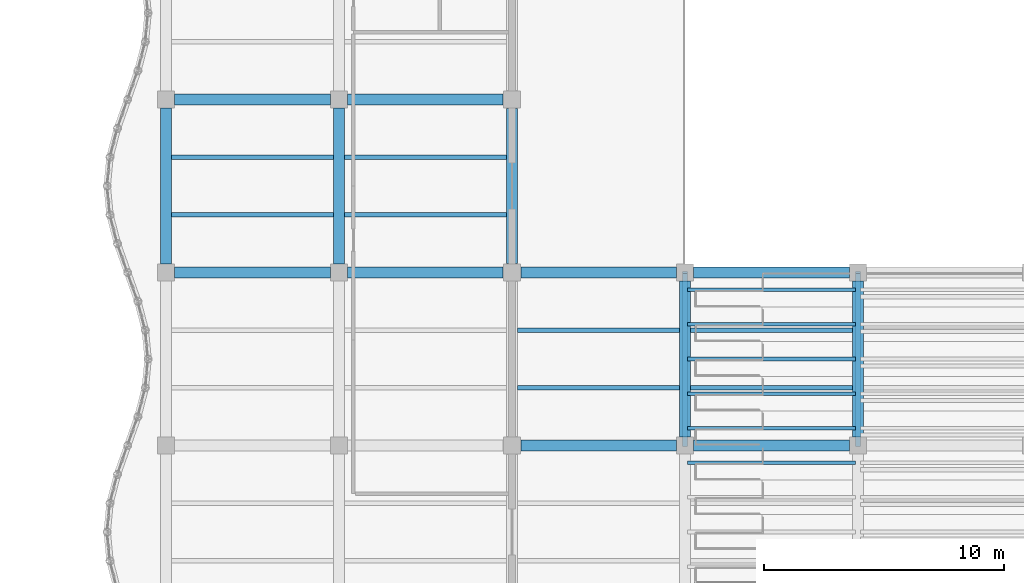
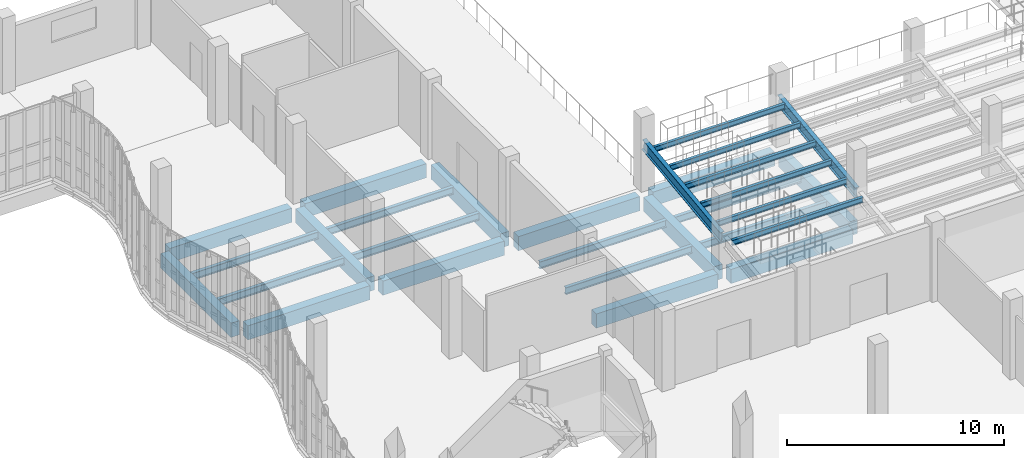
# One storey, part 42 of 108: 29 beams.
"""IFC4 building model written with IfcOpenShell, lengths in metres."""

from ifc_helpers import new_model, si_unit, direction, frame, origin, origin_2d, place, context, subcontext, project, spatial, rectangle, i_section, extrude, material, material_profile, profile_set, type_object, element, save


model = new_model("IFC4")

# Units and contexts
model_context = context("Model", 3, precision=1e-05, world=origin(), true_north=direction((0.0, 1.0)))
body_context = subcontext(model_context, "Body", "Model", "MODEL_VIEW")
ifc_project = project(units=[si_unit("LENGTHUNIT", "METRE"), si_unit("AREAUNIT", "SQUARE_METRE"), si_unit("VOLUMEUNIT", "CUBIC_METRE"), si_unit("PLANEANGLEUNIT", "RADIAN"), si_unit("MASSUNIT", "GRAM", prefix="KILO"), si_unit("THERMODYNAMICTEMPERATUREUNIT", "KELVIN"), si_unit("POWERUNIT", "WATT")], contexts=[model_context])

# Site, building, storey
site_placement = place(None, origin())
site = spatial("IfcSite", under=ifc_project, at=site_placement, CompositionType="ELEMENT")
building_placement = place(site_placement, origin())
building = spatial("IfcBuilding", under=site, at=building_placement, Name="Kaldorven Railside Theatre", CompositionType="ELEMENT")
storey_placement = place(building_placement, frame((0.0, 0.0, 5.39990234375)))
storey = spatial("IfcBuildingStorey", under=building, at=storey_placement, Name="L01", CompositionType="ELEMENT", Elevation=5.39990234375)

# Beams
ifc_material_1 = material(Name="Steel S355", Category="steel")
ifc_material_profile_1 = material_profile(ifc_material_1, i_section(OverallWidth=0.14990234375, OverallDepth=0.300048828125, WebThickness=0.007080078125, FlangeThickness=0.0107421875, at=origin_2d()), Name="IPE 300")
ifc_profile_set_1 = profile_set([ifc_material_profile_1], Name="Steel S355")
beam_type_1 = type_object("IfcBeamType", Name="BM-IPE300", PredefinedType="JOIST", material=ifc_profile_set_1)
for number, where, z_axis, x_axis, name in (
    (1, (94.510009765625, 47.280029296875, 1.6201171875), (1.0, 0.0, 0.0), (0.0, 1.0, 0.0), "Seating Tier Transverse Bearer TBR-V1D-051"),
    (2, (94.510009765625, 48.719970703125, 1.800048828125), (1.0, 0.0, 0.0), (0.0, 1.0, 0.0), "Seating Tier Transverse Bearer TBR-V1D-061"),
    (3, (94.510009765625, 50.159912109375, 1.97998046875), (1.0, 0.0, 0.0), (0.0, 1.0, 0.0), "Seating Tier Transverse Bearer TBR-V1D-071"),
    (4, (94.510009765625, 51.60009765625, 2.16015625), (1.0, 0.0, 0.0), (0.0, 1.0, 0.0), "Seating Tier Transverse Bearer TBR-V1D-081"),
    (5, (94.510009765625, 53.0400390625, 2.340087890625), (1.0, 0.0, 0.0), (0.0, 1.0, 0.0), "Seating Tier Transverse Bearer TBR-V1D-091"),
    (6, (94.510009765625, 54.47998046875, 2.52001953125), (1.0, 0.0, 0.0), (0.0, 1.0, 0.0), "Seating Tier Transverse Bearer TBR-V1D-101"),
):
    element("IfcBeam", number, at=place(storey_placement, frame(where, z_axis=z_axis, x_axis=x_axis)), inside=storey, type_object=beam_type_1, Name=name, PredefinedType="JOIST", context=body_context, shape_type="SweptSolid", body=[
        extrude(i_section(OverallWidth=0.14990234375, OverallDepth=0.300048828125, WebThickness=0.007080078125, FlangeThickness=0.0107421875, at=origin_2d()), origin(), (0.0, 0.0, 1.0), 6.97998046875),
    ])
ifc_material_profile_2 = material_profile(ifc_material_1, i_section(OverallWidth=0.179931640625, OverallDepth=0.39990234375, WebThickness=0.008544921875, FlangeThickness=0.013427734375, at=origin_2d()), Name="IPE 400")
ifc_profile_set_2 = profile_set([ifc_material_profile_2], Name="Steel S355")
beam_type_2 = type_object("IfcBeamType", Name="BM-IPE400", PredefinedType="JOIST", material=ifc_profile_set_2)
for number, where, z_axis, x_axis, name in (
    (7, (87.425048828125, 50.39990234375, -0.5), (1.0, 0.0, 0.0), (0.0, 1.0, 0.0), "L01 Secondary Floor Joist JG-L01-087-0504"),
    (8, (87.425048828125, 52.800048828125, -0.5), (1.0, 0.0, 0.0), (0.0, 1.0, 0.0), "L01 Secondary Floor Joist JG-L01-087-0528"),
    (9, (94.625, 50.39990234375, -0.5), (1.0, 0.0, 0.0), (0.0, 1.0, 0.0), "L01 Secondary Floor Joist JG-L01-094-0504"),
    (10, (94.625, 52.800048828125, -0.5), (1.0, 0.0, 0.0), (0.0, 1.0, 0.0), "L01 Secondary Floor Joist JG-L01-094-0528"),
    (11, (73.02490234375, 57.60009765625, -0.47998046875), (1.0, 0.0, 0.0), (0.0, 1.0, 0.0), "L01 Secondary Floor Joist JG-L01-072-0576"),
    (12, (73.02490234375, 60.0, -0.47998046875), (1.0, 0.0, 0.0), (0.0, 1.0, 0.0), "L01 Secondary Floor Joist JG-L01-072-0600"),
    (13, (80.22509765625, 57.60009765625, -0.47998046875), (1.0, 0.0, 0.0), (0.0, 1.0, 0.0), "L01 Secondary Floor Joist JG-L01-080-0576"),
    (14, (80.22509765625, 60.0, -0.47998046875), (1.0, 0.0, 0.0), (0.0, 1.0, 0.0), "L01 Secondary Floor Joist JG-L01-080-0600"),
):
    element("IfcBeam", number, at=place(storey_placement, frame(where, z_axis=z_axis, x_axis=x_axis)), inside=storey, type_object=beam_type_2, Name=name, PredefinedType="JOIST", context=body_context, shape_type="SweptSolid", body=[
        extrude(i_section(OverallWidth=0.179931640625, OverallDepth=0.39990234375, WebThickness=0.008544921875, FlangeThickness=0.013427734375, at=origin_2d()), origin(), (0.0, 0.0, 1.0), 6.75),
    ])
ifc_material_profile_3 = material_profile(ifc_material_1, i_section(OverallWidth=0.219970703125, OverallDepth=0.60009765625, WebThickness=0.011962890625, FlangeThickness=0.01904296875, at=origin_2d()), Name="IPE 600")
ifc_profile_set_3 = profile_set([ifc_material_profile_3], Name="Steel S355")
beam_type_3 = type_object("IfcBeamType", Name="BM-IPE600", PredefinedType="USERDEFINED", material=ifc_profile_set_3)
for number, where, z_axis, x_axis, name in (
    (15, (94.39990234375, 48.0, 1.52001953125), (0.0, 0.992275288289, 0.124055440233), (-1.0, 0.0, 0.0), "Auditorium Raker Girder RKG-V1D-12"),
    (16, (101.60009765625, 48.0, 1.52001953125), (0.0, 0.992275288289, 0.124055440233), (-1.0, 0.0, 0.0), "Auditorium Raker Girder RKG-V1D-22"),
):
    element("IfcBeam", number, at=place(storey_placement, frame(where, z_axis=z_axis, x_axis=x_axis)), inside=storey, type_object=beam_type_3, Name=name, ObjectType="RAKER BEAM", PredefinedType="USERDEFINED", context=body_context, shape_type="SweptSolid", body=[
        extrude(i_section(OverallWidth=0.219970703125, OverallDepth=0.60009765625, WebThickness=0.011962890625, FlangeThickness=0.01904296875, at=origin_2d()), origin(), (0.0, 0.0, 1.0), 7.256103515625),
    ])
ifc_material_2 = material(Name="Concrete C40/50", Category="concrete")
ifc_material_profile_4 = material_profile(ifc_material_2, rectangle(XDim=0.449951171875, YDim=0.800048828125, at=origin_2d()), Name="RC 450x800")
ifc_profile_set_4 = profile_set([ifc_material_profile_4], Name="Concrete C40/50")
beam_type_4 = type_object("IfcBeamType", Name="BM-RC450x800", PredefinedType="BEAM", material=ifc_profile_set_4)
beam_1_placement = place(storey_placement, frame((87.574951171875, 48.0, -0.699951171875), z_axis=(1.0, 0.0, 0.0), x_axis=(0.0, 1.0, 0.0)))
element("IfcBeam", 17, at=beam_1_placement, inside=storey, type_object=beam_type_4, Name="L01 Girder BGX-L01-087-048", PredefinedType="BEAM", context=body_context, shape_type="SweptSolid", body=[
    extrude(rectangle(XDim=0.449951171875, YDim=0.800048828125, at=origin_2d()), origin(), (0.0, 0.0, 1.0), 6.47509765625),
])
for number, where, z_axis, x_axis, name in (
    (18, (94.75, 48.0, -0.699951171875), (1.0, 0.0, 0.0), (0.0, 1.0, 0.0), "L01 Girder BGX-L01-094-048"),
    (19, (94.39990234375, 48.35009765625, -0.699951171875), (0.0, 1.0, 0.0), (-1.0, 0.0, 0.0), "L01 Girder BGY-L01-094-048-72"),
    (20, (101.60009765625, 48.35009765625, -0.699951171875), (0.0, 1.0, 0.0), (-1.0, 0.0, 0.0), "L01 Girder BGY-L01-101-048-72"),
    (21, (73.14990234375, 55.199951171875, -0.679931640625), (1.0, 0.0, 0.0), (0.0, 1.0, 0.0), "L01 Girder BGX-L01-072-055"),
    (22, (72.800048828125, 55.550048828125, -0.679931640625), (0.0, 1.0, 0.0), (-1.0, 0.0, 0.0), "L01 Girder BGY-L01-072-055-72"),
):
    element("IfcBeam", number, at=place(storey_placement, frame(where, z_axis=z_axis, x_axis=x_axis)), inside=storey, type_object=beam_type_4, Name=name, PredefinedType="BEAM", context=body_context, shape_type="SweptSolid", body=[
        extrude(rectangle(XDim=0.449951171875, YDim=0.800048828125, at=origin_2d()), origin(), (0.0, 0.0, 1.0), 6.5),
    ])
beam_2_placement = place(storey_placement, frame((80.35009765625, 55.199951171875, -0.679931640625), z_axis=(1.0, 0.0, 0.0), x_axis=(0.0, 1.0, 0.0)))
element("IfcBeam", 23, at=beam_2_placement, inside=storey, type_object=beam_type_4, Name="L01 Girder BGX-L01-080-055", PredefinedType="BEAM", context=body_context, shape_type="SweptSolid", body=[
    extrude(rectangle(XDim=0.449951171875, YDim=0.800048828125, at=origin_2d()), origin(), (0.0, 0.0, 1.0), 6.474853515625),
])
beam_3_placement = place(storey_placement, frame((80.0, 55.550048828125, -0.679931640625), z_axis=(0.0, 1.0, 0.0), x_axis=(-1.0, 0.0, 0.0)))
element("IfcBeam", 24, at=beam_3_placement, inside=storey, type_object=beam_type_4, Name="L01 Girder BGY-L01-080-055-72", PredefinedType="BEAM", context=body_context, shape_type="SweptSolid", body=[
    extrude(rectangle(XDim=0.449951171875, YDim=0.800048828125, at=origin_2d()), origin(), (0.0, 0.0, 1.0), 6.5),
])
beam_4_placement = place(storey_placement, frame((87.574951171875, 55.199951171875, -0.699951171875), z_axis=(1.0, 0.0, 0.0), x_axis=(0.0, 1.0, 0.0)))
element("IfcBeam", 25, at=beam_4_placement, inside=storey, type_object=beam_type_4, Name="L01 Girder BGX-L01-087-055", PredefinedType="BEAM", context=body_context, shape_type="SweptSolid", body=[
    extrude(rectangle(XDim=0.449951171875, YDim=0.800048828125, at=origin_2d()), origin(), (0.0, 0.0, 1.0), 6.47509765625),
])
beam_5_placement = place(storey_placement, frame((87.199951171875, 55.574951171875, -0.699951171875), z_axis=(0.0, 1.0, 0.0), x_axis=(-1.0, 0.0, 0.0)))
element("IfcBeam", 26, at=beam_5_placement, inside=storey, type_object=beam_type_4, Name="L01 Girder BGY-L01-087-055-72", PredefinedType="BEAM", context=body_context, shape_type="SweptSolid", body=[
    extrude(rectangle(XDim=0.449951171875, YDim=0.800048828125, at=origin_2d()), origin(), (0.0, 0.0, 1.0), 6.449951171875),
])
for number, where, z_axis, x_axis, name in (
    (27, (94.75, 55.199951171875, -0.699951171875), (1.0, 0.0, 0.0), (0.0, 1.0, 0.0), "L01 Girder BGX-L01-094-055"),
    (28, (73.14990234375, 62.39990234375, -0.679931640625), (1.0, 0.0, 0.0), (0.0, 1.0, 0.0), "L01 Girder BGX-L01-072-062"),
):
    element("IfcBeam", number, at=place(storey_placement, frame(where, z_axis=z_axis, x_axis=x_axis)), inside=storey, type_object=beam_type_4, Name=name, PredefinedType="BEAM", context=body_context, shape_type="SweptSolid", body=[
        extrude(rectangle(XDim=0.449951171875, YDim=0.800048828125, at=origin_2d()), origin(), (0.0, 0.0, 1.0), 6.5),
    ])
beam_6_placement = place(storey_placement, frame((80.35009765625, 62.39990234375, -0.679931640625), z_axis=(1.0, 0.0, 0.0), x_axis=(0.0, 1.0, 0.0)))
element("IfcBeam", 29, at=beam_6_placement, inside=storey, type_object=beam_type_4, Name="L01 Girder BGX-L01-080-062", PredefinedType="BEAM", context=body_context, shape_type="SweptSolid", body=[
    extrude(rectangle(XDim=0.449951171875, YDim=0.800048828125, at=origin_2d()), origin(), (0.0, 0.0, 1.0), 6.474853515625),
])

save(model, "model.ifc")
